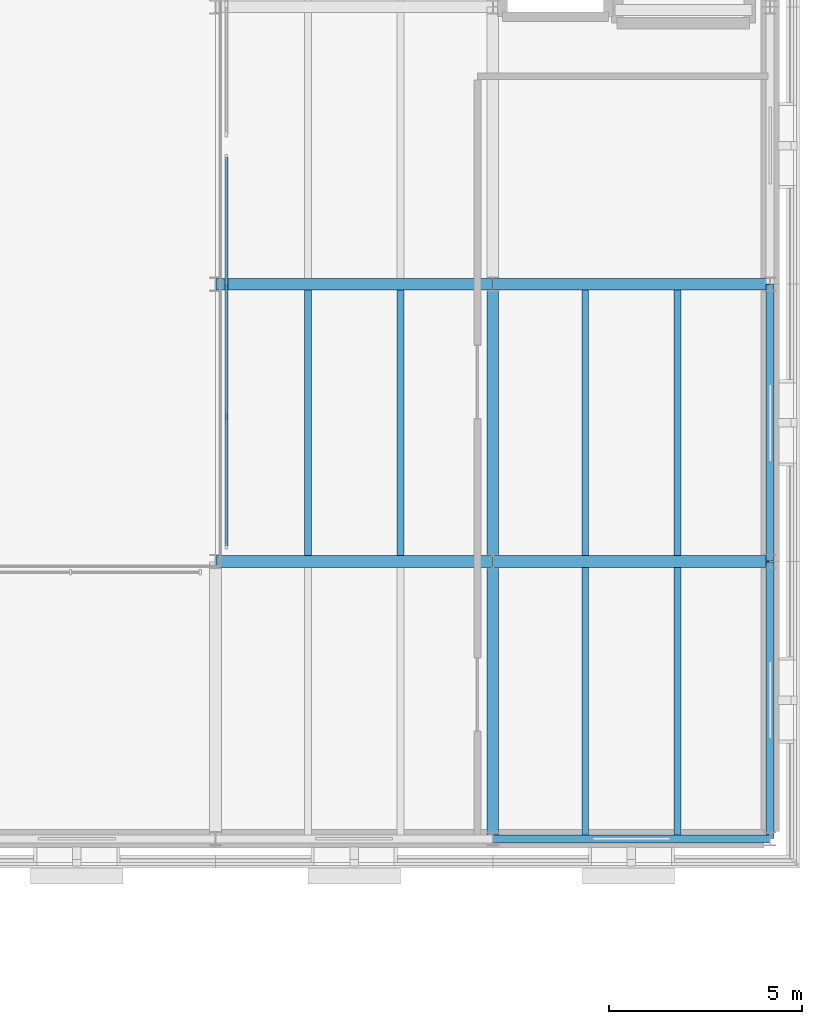
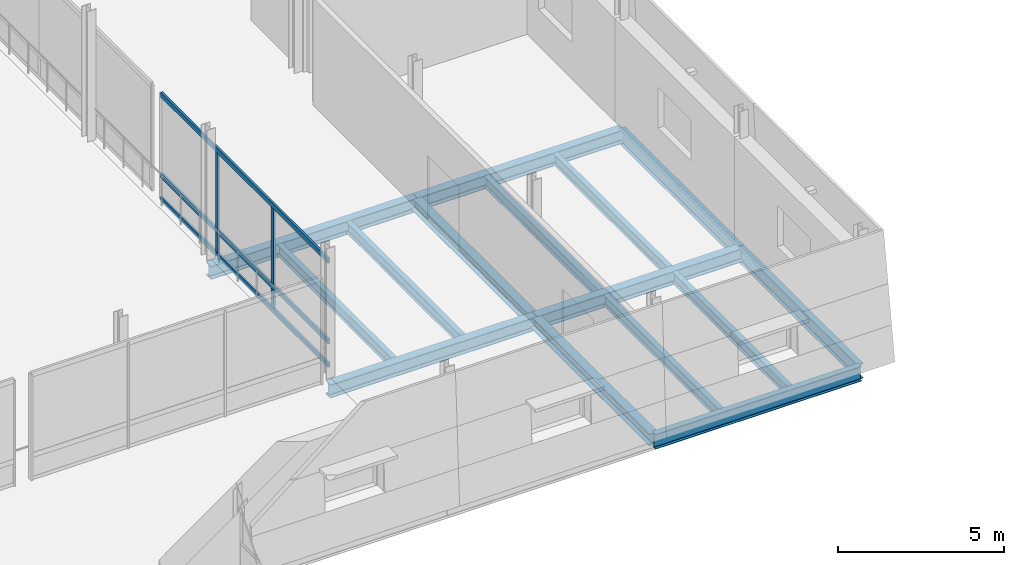
# One storey, part 46 of 121: 15 beams, 5 members, 1 element without a shape of its own.
"""IFC4 building model written with IfcOpenShell, lengths in metres."""

from ifc_helpers import new_model, si_unit, direction, frame, origin, origin_2d, place, context, subcontext, project, spatial, rectangle, i_section, extrude, material, layer, layer_set, material_profile, profile_set, type_object, element, aggregate, save


model = new_model("IFC4")

# Units and contexts
model_context = context("Model", 3, precision=1e-05, world=origin(), true_north=direction((0.0, 1.0)))
body_context = subcontext(model_context, "Body", "Model", "MODEL_VIEW")
ifc_project = project(units=[si_unit("LENGTHUNIT", "METRE"), si_unit("AREAUNIT", "SQUARE_METRE"), si_unit("VOLUMEUNIT", "CUBIC_METRE"), si_unit("PLANEANGLEUNIT", "RADIAN"), si_unit("MASSUNIT", "GRAM", prefix="KILO")], contexts=[model_context])

# Site, building, storey
site_placement = place(None, origin())
site = spatial("IfcSite", under=ifc_project, at=site_placement, CompositionType="ELEMENT")
building_placement = place(site_placement, origin())
building = spatial("IfcBuilding", under=site, at=building_placement, Name="Narikvali Park Central Library", CompositionType="ELEMENT")
storey_placement = place(building_placement, frame((0.0, 0.0, 5.39990234375)))
storey = spatial("IfcBuildingStorey", under=building, at=storey_placement, Name="L01", CompositionType="ELEMENT", Elevation=5.39990234375)

# Beams
ifc_material_1 = material(Name="Steel S355", Category="steel")
ifc_material_profile_1 = material_profile(ifc_material_1, i_section(OverallWidth=0.179931640625, OverallDepth=0.39990234375, WebThickness=0.008544921875, FlangeThickness=0.013427734375, FilletRadius=0.02099609375, at=origin_2d()), Name="IPE 400")
ifc_profile_set_1 = profile_set([ifc_material_profile_1], Name="Steel S355")
beam_type_1 = type_object("IfcBeamType", Name="Composite Floor Joist IPE400", PredefinedType="JOIST", material=ifc_profile_set_1)
for number, where, z_axis, x_axis, name in (
    (1, (153.60009765625, 86.550048828125, -0.47998046875), (0.0, 1.0, 0.0), (-1.0, 0.0, 0.0), "V3 L01 Composite Joist 1"),
    (2, (156.0, 86.550048828125, -0.47998046875), (0.0, 1.0, 0.0), (-1.0, 0.0, 0.0), "V3 L01 Composite Joist 2"),
):
    element("IfcBeam", number, at=place(storey_placement, frame(where, z_axis=z_axis, x_axis=x_axis)), inside=storey, type_object=beam_type_1, Name=name, PredefinedType="JOIST", context=body_context, shape_type="SweptSolid", body=[
        extrude(i_section(OverallWidth=0.179931640625, OverallDepth=0.39990234375, WebThickness=0.008544921875, FlangeThickness=0.013427734375, FilletRadius=0.02099609375, at=origin_2d()), origin(), (0.0, 0.0, 1.0), 6.89990234375),
    ])
for number, where, z_axis, x_axis, name in (
    (3, (160.800048828125, 79.304931640625, -0.47998046875), (0.0, 1.0, 0.0), (-1.0, 0.0, 0.0), "V3 L01 Composite Joist 1"),
    (4, (163.199951171875, 79.304931640625, -0.47998046875), (0.0, 1.0, 0.0), (-1.0, 0.0, 0.0), "V3 L01 Composite Joist 2"),
):
    element("IfcBeam", number, at=place(storey_placement, frame(where, z_axis=z_axis, x_axis=x_axis)), inside=storey, type_object=beam_type_1, Name=name, PredefinedType="JOIST", context=body_context, shape_type="SweptSolid", body=[
        extrude(i_section(OverallWidth=0.179931640625, OverallDepth=0.39990234375, WebThickness=0.008544921875, FlangeThickness=0.013427734375, FilletRadius=0.02099609375, at=origin_2d()), origin(), (0.0, 0.0, 1.0), 6.945068359375),
    ])
for number, where, z_axis, x_axis, name in (
    (5, (160.800048828125, 86.550048828125, -0.47998046875), (0.0, 1.0, 0.0), (-1.0, 0.0, 0.0), "V3 L01 Composite Joist 1"),
    (6, (163.199951171875, 86.550048828125, -0.47998046875), (0.0, 1.0, 0.0), (-1.0, 0.0, 0.0), "V3 L01 Composite Joist 2"),
):
    element("IfcBeam", number, at=place(storey_placement, frame(where, z_axis=z_axis, x_axis=x_axis)), inside=storey, type_object=beam_type_1, Name=name, PredefinedType="JOIST", context=body_context, shape_type="SweptSolid", body=[
        extrude(i_section(OverallWidth=0.179931640625, OverallDepth=0.39990234375, WebThickness=0.008544921875, FlangeThickness=0.013427734375, FilletRadius=0.02099609375, at=origin_2d()), origin(), (0.0, 0.0, 1.0), 6.89990234375),
    ])

# Curtain wall, members
ifc_material_2 = material(Name="Anodised Bronze Aluminium", Category="aluminium")
ifc_layer = layer(ifc_material_2, 0.219970703125, Name="Anodised Bronze Aluminium")
ifc_layer_set = layer_set([ifc_layer], Name="Anodised Bronze Aluminium")
curtain_wall_type = type_object("IfcCurtainWallType", Name="Atrium Tall Curtain Wall System", PredefinedType="NOTDEFINED", material=ifc_layer_set)
curtain_wall_placement = place(storey_placement, origin())
curtain_wall = element("IfcCurtainWall", 7, at=curtain_wall_placement, inside=storey, type_object=curtain_wall_type, Name="Atrium Tall Curtain Wall System CW-INT-V3-L01-E1", PredefinedType="NOTDEFINED")
ifc_material_profile_2 = material_profile(ifc_material_2, rectangle(XDim=0.074951171875, YDim=0.179931640625, at=origin_2d()), Name="CW TRANSOM 75x180")
ifc_profile_set_2 = profile_set([ifc_material_profile_2], Name="Anodised Bronze Aluminium")
member_type_1 = type_object("IfcMemberType", Name="Curtain Wall Heavy Transom 75x180", PredefinedType="USERDEFINED", material=ifc_profile_set_2)
member_1_placement = place(storey_placement, frame((151.47998046875, 86.800048828125, 0.030029296875), z_axis=(0.0, 1.0, 0.0), x_axis=(-1.0, 0.0, 0.0)))
member_1 = element("IfcMember", 8, at=member_1_placement, type_object=member_type_1, Name="CW-INT-V3-L01-E1 Transom 00", ObjectType="TRANSOM", PredefinedType="USERDEFINED", context=body_context, shape_type="SweptSolid", body=[
    extrude(rectangle(XDim=0.074951171875, YDim=0.179931640625, at=origin_2d()), origin(), (0.0, 0.0, 1.0), 10.099853515625),
])
member_2_placement = place(storey_placement, frame((151.47998046875, 86.800048828125, 0.900146484375), z_axis=(0.0, 1.0, 0.0), x_axis=(-1.0, 0.0, 0.0)))
member_2 = element("IfcMember", 9, at=member_2_placement, type_object=member_type_1, Name="CW-INT-V3-L01-E1 Transom 01", ObjectType="TRANSOM", PredefinedType="USERDEFINED", context=body_context, shape_type="SweptSolid", body=[
    extrude(rectangle(XDim=0.074951171875, YDim=0.179931640625, at=origin_2d()), origin(), (0.0, 0.0, 1.0), 10.099853515625),
])
member_3_placement = place(storey_placement, frame((151.47998046875, 86.800048828125, 3.8701171875), z_axis=(0.0, 1.0, 0.0), x_axis=(-1.0, 0.0, 0.0)))
member_3 = element("IfcMember", 10, at=member_3_placement, type_object=member_type_1, Name="CW-INT-V3-L01-E1 Transom 02", ObjectType="TRANSOM", PredefinedType="USERDEFINED", context=body_context, shape_type="SweptSolid", body=[
    extrude(rectangle(XDim=0.074951171875, YDim=0.179931640625, at=origin_2d()), origin(), (0.0, 0.0, 1.0), 10.099853515625),
])
ifc_material_profile_3 = material_profile(ifc_material_2, rectangle(XDim=0.06005859375, YDim=0.14990234375, at=origin_2d()), Name="CW MULLION 60x150")
ifc_profile_set_3 = profile_set([ifc_material_profile_3], Name="Anodised Bronze Aluminium")
member_type_2 = type_object("IfcMemberType", Name="Curtain Wall Mullion 60x150", PredefinedType="MULLION", material=ifc_profile_set_3)
member_4_placement = place(storey_placement, frame((151.47998046875, 90.166748046875, -0.010009765625), z_axis=(0.0, 0.0, 1.0), x_axis=(1.0, 0.0, 0.0)))
member_4 = element("IfcMember", 11, at=member_4_placement, type_object=member_type_2, Name="CW-INT-V3-L01-E1 Mullion 01", PredefinedType="MULLION", context=body_context, shape_type="SweptSolid", body=[
    extrude(rectangle(XDim=0.06005859375, YDim=0.14990234375, at=origin_2d()), origin(), (0.0, 0.0, 1.0), 3.91015625),
])
member_5_placement = place(storey_placement, frame((151.47998046875, 93.533203125, -0.010009765625), z_axis=(0.0, 0.0, 1.0), x_axis=(1.0, 0.0, 0.0)))
member_5 = element("IfcMember", 12, at=member_5_placement, type_object=member_type_2, Name="CW-INT-V3-L01-E1 Mullion 02", PredefinedType="MULLION", context=body_context, shape_type="SweptSolid", body=[
    extrude(rectangle(XDim=0.06005859375, YDim=0.14990234375, at=origin_2d()), origin(), (0.0, 0.0, 1.0), 3.91015625),
])
aggregate(curtain_wall, [member_4, member_5, member_1, member_2, member_3])

# Beams
ifc_material_profile_4 = material_profile(ifc_material_1, i_section(OverallWidth=0.2099609375, OverallDepth=0.550048828125, WebThickness=0.010986328125, FlangeThickness=0.01708984375, FilletRadius=0.02392578125, at=origin_2d()), Name="IPE 550")
ifc_profile_set_4 = profile_set([ifc_material_profile_4], Name="Steel S355")
beam_type_2 = type_object("IfcBeamType", Name="Perimeter Spandrel IPE550", PredefinedType="SPANDREL", material=ifc_profile_set_4)
for number, where, z_axis, x_axis, name in (
    (13, (158.407958984375, 79.199951171875, -0.554931640625), (1.0, 0.0, 0.0), (0.0, 1.0, 0.0), "V3 L01 Girder X"),
    (14, (165.60009765625, 79.2080078125, -0.554931640625), (0.0, 1.0, 0.0), (-1.0, 0.0, 0.0), "V3 L01 Girder Y"),
    (15, (165.60009765625, 86.407958984375, -0.554931640625), (0.0, 1.0, 0.0), (-1.0, 0.0, 0.0), "V3 L01 Girder Y"),
):
    element("IfcBeam", number, at=place(storey_placement, frame(where, z_axis=z_axis, x_axis=x_axis)), inside=storey, type_object=beam_type_2, Name=name, PredefinedType="SPANDREL", context=body_context, shape_type="SweptSolid", body=[
        extrude(i_section(OverallWidth=0.2099609375, OverallDepth=0.550048828125, WebThickness=0.010986328125, FlangeThickness=0.01708984375, FilletRadius=0.02392578125, at=origin_2d()), origin(), (0.0, 0.0, 1.0), 7.18408203125),
    ])
ifc_material_profile_5 = material_profile(ifc_material_1, i_section(OverallWidth=0.300048828125, OverallDepth=0.43994140625, WebThickness=0.011474609375, FlangeThickness=0.02099609375, FilletRadius=0.027099609375, at=origin_2d()), Name="HEA 450")
ifc_profile_set_5 = profile_set([ifc_material_profile_5], Name="Steel S355")
beam_type_3 = type_object("IfcBeamType", Name="Primary Girder HEA450", PredefinedType="BEAM", material=ifc_profile_set_5)
for number, where, z_axis, x_axis, name in (
    (16, (158.39990234375, 79.2080078125, -0.5), (0.0, 1.0, 0.0), (-1.0, 0.0, 0.0), "V3 L01 Girder Y"),
    (17, (158.39990234375, 86.407958984375, -0.5), (0.0, 1.0, 0.0), (-1.0, 0.0, 0.0), "V3 L01 Girder Y"),
):
    element("IfcBeam", number, at=place(storey_placement, frame(where, z_axis=z_axis, x_axis=x_axis)), inside=storey, type_object=beam_type_3, Name=name, PredefinedType="BEAM", context=body_context, shape_type="SweptSolid", body=[
        extrude(i_section(OverallWidth=0.300048828125, OverallDepth=0.43994140625, WebThickness=0.011474609375, FlangeThickness=0.02099609375, FilletRadius=0.027099609375, at=origin_2d()), origin(), (0.0, 0.0, 1.0), 7.18408203125),
    ])
ifc_material_profile_6 = material_profile(ifc_material_1, i_section(OverallWidth=0.300048828125, OverallDepth=0.489990234375, WebThickness=0.011962890625, FlangeThickness=0.02294921875, FilletRadius=0.027099609375, at=origin_2d()), Name="HEA 500")
ifc_profile_set_6 = profile_set([ifc_material_profile_6], Name="Steel S355")
beam_type_4 = type_object("IfcBeamType", Name="Primary Girder HEA500", PredefinedType="BEAM", material=ifc_profile_set_6)
for number, where, z_axis, x_axis, name in (
    (18, (151.2080078125, 86.39990234375, -0.52490234375), (1.0, 0.0, 0.0), (0.0, 1.0, 0.0), "V3 L01 Girder X"),
    (19, (158.407958984375, 86.39990234375, -0.52490234375), (1.0, 0.0, 0.0), (0.0, 1.0, 0.0), "V3 L01 Girder X"),
    (20, (151.2080078125, 93.60009765625, -0.52490234375), (1.0, 0.0, 0.0), (0.0, 1.0, 0.0), "V3 L01 Girder X"),
    (21, (158.407958984375, 93.60009765625, -0.52490234375), (1.0, 0.0, 0.0), (0.0, 1.0, 0.0), "V3 L01 Girder X"),
):
    element("IfcBeam", number, at=place(storey_placement, frame(where, z_axis=z_axis, x_axis=x_axis)), inside=storey, type_object=beam_type_4, Name=name, PredefinedType="BEAM", context=body_context, shape_type="SweptSolid", body=[
        extrude(i_section(OverallWidth=0.300048828125, OverallDepth=0.489990234375, WebThickness=0.011962890625, FlangeThickness=0.02294921875, FilletRadius=0.027099609375, at=origin_2d()), origin(), (0.0, 0.0, 1.0), 7.18408203125),
    ])

save(model, "model.ifc")
